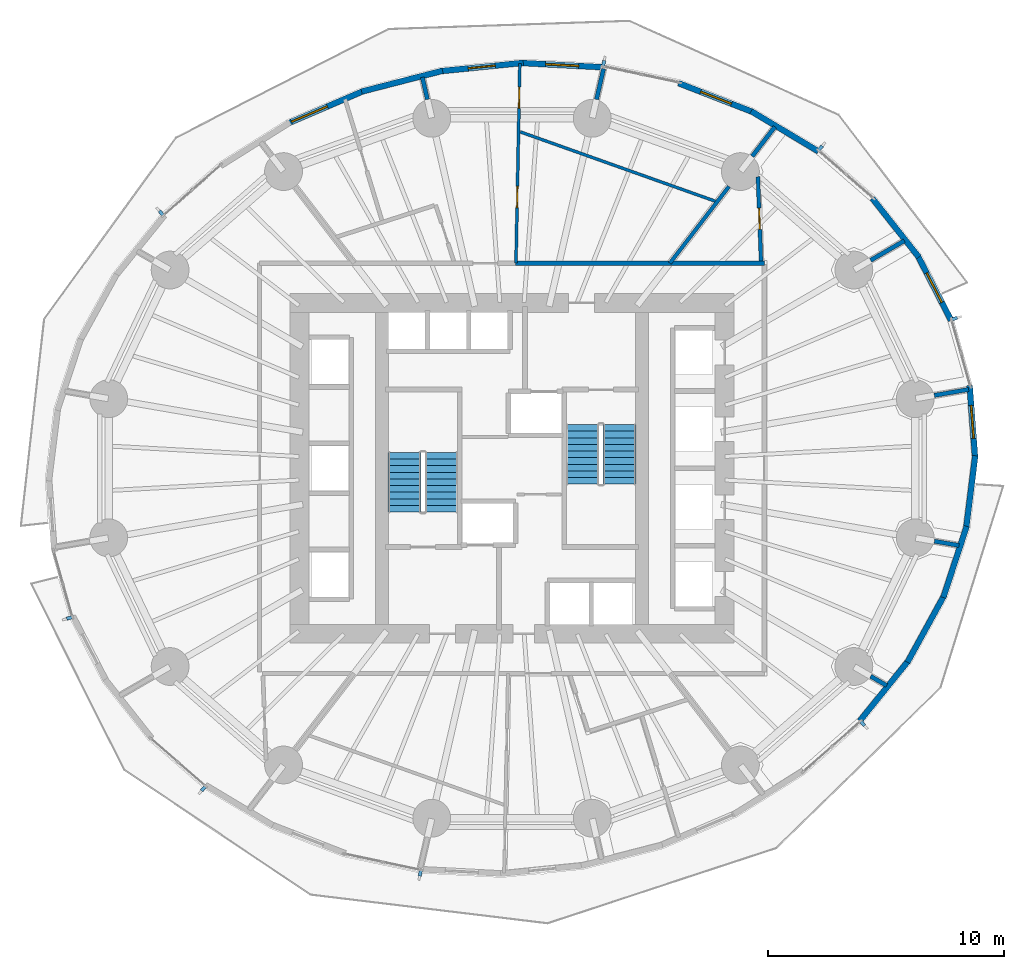
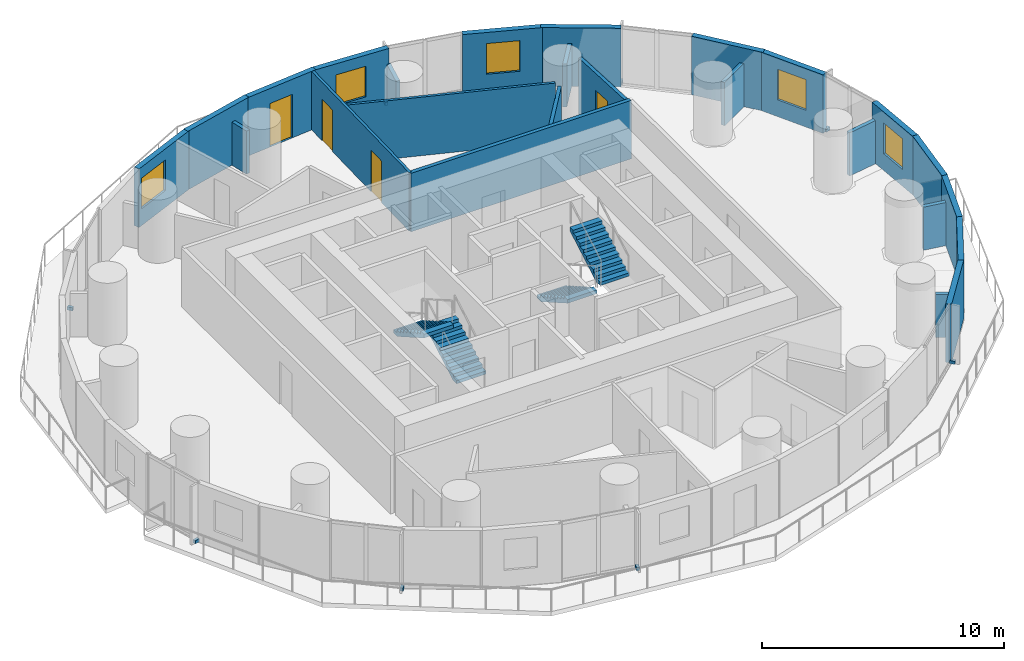
# One storey, part 9 of 13: 25 walls, 8 discrete accessories, 5 windows, 4 doors, 4 stair flights, 9 openings, 2 elements without a shape of their own.
"""IFC4 building model written with IfcOpenShell, lengths in metres."""

import ifcopenshell
import ifcopenshell.guid

model = None  # the IFC model being written
_history = None  # IfcOwnerHistory: only IFC2X3 demands one
_inside = {}  # id of a spatial element -> (the spatial element, [elements in it])
_under = {}  # id of a project, library or spatial element -> (it, [spatial elements below it])
_declared = {}  # id of a project -> (the project, [libraries it declares])
_typed = {}  # id of a type object -> (the type object, [elements of that type])
_made_of = {}  # id of a material, layer set ... -> (it, [elements and type objects made of it])


def new_model(schema):
    """Start an empty IFC model of exactly this schema.

    Asked for "IFC4X3", IfcOpenShell would pick the latest addendum, in which some entities
    have other attributes; the version numbers below select the first issue.
    IFC2X3 requires an IfcOwnerHistory on every rooted entity: one is made here for all.
    """
    global model, _history
    if schema == "IFC4X3":
        model = ifcopenshell.file(schema_version=(4, 3, 0, 0))
    else:
        model = ifcopenshell.file(schema=schema)
    _inside.clear()
    _under.clear()
    _declared.clear()
    _typed.clear()
    _made_of.clear()
    _history = None
    if model.schema == "IFC2X3":
        org = make("IfcOrganization", Name="unknown")
        user = make(
            "IfcPersonAndOrganization",
            ThePerson=make("IfcPerson", FamilyName="unknown"),
            TheOrganization=org,
        )
        app = make(
            "IfcApplication",
            ApplicationDeveloper=org,
            Version="unknown",
            ApplicationFullName="unknown",
            ApplicationIdentifier="unknown",
        )
        _history = make(
            "IfcOwnerHistory",
            OwningUser=user,
            OwningApplication=app,
            ChangeAction="ADDED",
            CreationDate=0,
        )
    return model


def make(cls, **values):
    """One entity of the class cls with the attributes given. An attribute that is None is left unset."""
    return model.create_entity(
        cls, **{name: value for name, value in values.items() if value is not None}
    )


def rooted(cls, **values):
    """An entity with a GlobalId (a new one), such as an element, a storey or a relation."""
    return make(cls, GlobalId=ifcopenshell.guid.new(), OwnerHistory=_history, **values)


def si_unit(unit_type, name, prefix=None):
    """IfcSIUnit, for example si_unit("LENGTHUNIT", "METRE", prefix="MILLI")."""
    return make("IfcSIUnit", UnitType=unit_type, Prefix=prefix, Name=name)


def assignment(units):
    """IfcUnitAssignment: the units of a project."""
    return None if units is None else make("IfcUnitAssignment", Units=units)


def point(xyz):
    """IfcCartesianPoint."""
    return None if xyz is None else make("IfcCartesianPoint", Coordinates=xyz)


def direction(xyz):
    """IfcDirection."""
    return None if xyz is None else make("IfcDirection", DirectionRatios=xyz)


def frame(location, z_axis=None, x_axis=None):
    """IfcAxis2Placement3D, a coordinate frame: its origin and axes. An axis left out is left unset."""
    return make(
        "IfcAxis2Placement3D",
        Location=point(location),
        Axis=direction(z_axis),
        RefDirection=direction(x_axis),
    )


def frame_2d(location, x_axis=None):
    """IfcAxis2Placement2D, a coordinate frame in the plane: its origin and x axis."""
    return make(
        "IfcAxis2Placement2D", Location=point(location), RefDirection=direction(x_axis)
    )


def origin():
    """The frame at (0, 0, 0) with its axes left unset."""
    return frame((0.0, 0.0, 0.0))


def origin_2d():
    """The frame at (0, 0) in the plane with its x axis left unset."""
    return frame_2d((0.0, 0.0))


def place(relative_to, where):
    """IfcLocalPlacement: puts the frame where relative to a parent placement (None: the world)."""
    return make(
        "IfcLocalPlacement", PlacementRelTo=relative_to, RelativePlacement=where
    )


def context(
    kind, dimensions, precision=None, world=None, true_north=None, identifier=None
):
    """IfcGeometricRepresentationContext, for example the 3D "Model" context."""
    return make(
        "IfcGeometricRepresentationContext",
        ContextIdentifier=identifier,
        ContextType=kind,
        CoordinateSpaceDimension=dimensions,
        Precision=precision,
        WorldCoordinateSystem=world,
        TrueNorth=true_north,
    )


def subcontext(parent, identifier, kind, view, scale=None):
    """IfcGeometricRepresentationSubContext, for example "Body" below "Model"."""
    return make(
        "IfcGeometricRepresentationSubContext",
        ContextIdentifier=identifier,
        ContextType=kind,
        ParentContext=parent,
        TargetScale=scale,
        TargetView=view,
    )


def project(units=None, contexts=None):
    """IfcProject with its units and contexts."""
    return rooted(
        "IfcProject",
        Name="project",
        RepresentationContexts=contexts,
        UnitsInContext=assignment(units),
    )


def spatial(cls, under=None, at=None, **own):
    """A site, building, storey or space (cls), placed at a placement, below another one or the project."""
    s = rooted(cls, ObjectPlacement=at, **own)
    if under is not None:
        _under.setdefault(under.id(), (under, []))[1].append(s)
    return s


def polyline(points):
    """IfcPolyline through the points."""
    return make("IfcPolyline", Points=[point(p) for p in points])


def profile(cls, at=None, kind="AREA", **sizes):
    """A parametric profile (cls). Its sizes go by their IFC names, for example OverallWidth=200.0."""
    return make(cls, ProfileType=kind, Position=at, **sizes)


def rectangle(**sizes):
    """IfcRectangleProfileDef."""
    return profile("IfcRectangleProfileDef", **sizes)


def outline(outer, holes=None, kind="AREA"):
    """IfcArbitraryClosedProfileDef: a profile drawn as a closed curve; with holes, ...WithVoids."""
    if holes is None:
        return make("IfcArbitraryClosedProfileDef", ProfileType=kind, OuterCurve=outer)
    return make(
        "IfcArbitraryProfileDefWithVoids",
        ProfileType=kind,
        OuterCurve=outer,
        InnerCurves=holes,
    )


def extrude(swept, where, along, depth):
    """IfcExtrudedAreaSolid: the profile swept, set in the frame where, extruded along a direction by depth."""
    return make(
        "IfcExtrudedAreaSolid",
        SweptArea=swept,
        Position=where,
        ExtrudedDirection=direction(along),
        Depth=depth,
    )


def shape(context_of_items, identifier, shape_type, items):
    """IfcShapeRepresentation: the items that make up one representation, for example the "Body"."""
    return make(
        "IfcShapeRepresentation",
        ContextOfItems=context_of_items,
        RepresentationIdentifier=identifier,
        RepresentationType=shape_type,
        Items=items,
    )


def material(Name=None, Category=None):
    """IfcMaterial."""
    return make("IfcMaterial", Name=Name, Category=Category)


def layer(
    of_material, thickness, ventilated=None, Name=None, Category=None, Priority=None
):
    """IfcMaterialLayer: one layer of a wall or slab, of a material (None: an air gap)."""
    return make(
        "IfcMaterialLayer",
        Material=of_material,
        LayerThickness=thickness,
        IsVentilated=ventilated,
        Name=Name,
        Category=Category,
        Priority=Priority,
    )


def layer_set(layers, Name=None):
    """IfcMaterialLayerSet."""
    return make("IfcMaterialLayerSet", MaterialLayers=layers, LayerSetName=Name)


def made_of(thing, what):
    """Note that an element or type object is made of a material, layer set ...; save() writes the relation."""
    if what is not None:
        _made_of.setdefault(what.id(), (what, []))[1].append(thing)
    return thing


def type_object(cls, material=None, **own):
    """A type object (cls), such as IfcWallType, which elements share."""
    return made_of(rooted(cls, **own), material)


def element(
    cls,
    number,
    at=None,
    inside=None,
    cuts=None,
    type_object=None,
    material=None,
    context=None,
    identifier="Body",
    shape_type=None,
    held_by="IfcProductDefinitionShape",
    body=None,
    shapes=None,
    **own,
):
    """One element of the class cls, such as IfcWall. Its Tag is "e" and its number.

    at: its placement. inside: the storey or other place that contains it. cuts: it is an
    opening in that element (IfcRelVoidsElement). A single representation is given by context,
    identifier, shape_type and body (its items); several are given by shapes. held_by: the class
    of the entity that holds the representations. save() writes the other relations.
    """
    e = rooted(cls, Tag="e%d" % number, ObjectPlacement=at, **own)
    if body is not None:
        shapes = [shape(context, identifier, shape_type, body)]
    if shapes is not None:
        e.Representation = make(held_by, Representations=shapes)
    if inside is not None:
        _inside.setdefault(inside.id(), (inside, []))[1].append(e)
    if cuts is not None:
        rooted(
            "IfcRelVoidsElement", RelatingBuildingElement=cuts, RelatedOpeningElement=e
        )
    if type_object is not None:
        _typed.setdefault(type_object.id(), (type_object, []))[1].append(e)
    return made_of(e, material)


def fill(opening, filler):
    """IfcRelFillsElement: the door or window that sits in an opening."""
    return rooted(
        "IfcRelFillsElement",
        RelatingOpeningElement=opening,
        RelatedBuildingElement=filler,
    )


def aggregate(whole, parts):
    """IfcRelAggregates: a whole, such as a stair, and the parts it consists of."""
    return rooted("IfcRelAggregates", RelatingObject=whole, RelatedObjects=parts)


def save(model, path):
    """Write the relations noted so far, then the file.

    IfcRelAggregates (storeys below a building ...), IfcRelContainedInSpatialStructure (elements
    in a storey), IfcRelDefinesByType, IfcRelAssociatesMaterial and IfcRelDeclares: one each for
    every whole, place, type object, material and project.
    """
    for whole, parts in _under.values():
        aggregate(whole, parts)
    for where, things in _inside.values():
        rooted(
            "IfcRelContainedInSpatialStructure",
            RelatedElements=things,
            RelatingStructure=where,
        )
    for kind, things in _typed.values():
        rooted("IfcRelDefinesByType", RelatedObjects=things, RelatingType=kind)
    for what, things in _made_of.values():
        rooted("IfcRelAssociatesMaterial", RelatedObjects=things, RelatingMaterial=what)
    for by, libraries in _declared.values():
        rooted("IfcRelDeclares", RelatingContext=by, RelatedDefinitions=libraries)
    model.write(path)


model = new_model("IFC4")

# Units and contexts
model_context = context("Model", 3, precision=1e-05, world=origin(), true_north=direction((0.0, 1.0)))
body_context = subcontext(model_context, "Body", "Model", "MODEL_VIEW")
ifc_project = project(units=[si_unit("LENGTHUNIT", "METRE"), si_unit("AREAUNIT", "SQUARE_METRE"), si_unit("VOLUMEUNIT", "CUBIC_METRE"), si_unit("PLANEANGLEUNIT", "RADIAN"), si_unit("MASSUNIT", "GRAM", prefix="KILO")], contexts=[model_context])

# Site, building, storey
site_placement = place(None, origin())
site = spatial("IfcSite", under=ifc_project, at=site_placement, CompositionType="ELEMENT")
building_placement = place(site_placement, origin())
building = spatial("IfcBuilding", under=site, at=building_placement, Name="Veldorim Arch Residences", CompositionType="ELEMENT")
storey_placement = place(building_placement, frame((0.0, 0.0, 44.0)))
storey = spatial("IfcBuildingStorey", under=building, at=storey_placement, Name="L12", CompositionType="ELEMENT", Elevation=44.0)

# Wall, openings, doors
ifc_material_1 = material(Name="Acoustic Gypsum Board", Category="gypsum")
ifc_layer_1 = layer(ifc_material_1, 0.125, Name="Acoustic Stud Room Partition Wall 125")
ifc_layer_set_1 = layer_set([ifc_layer_1], Name="Acoustic Gypsum Board")
wall_type_1 = type_object("IfcWallType", Name="Acoustic Stud Room Partition Wall 125", PredefinedType="PARTITIONING", material=ifc_layer_set_1)
wall_1_placement = place(storey_placement, frame((32.3330078125, 41.12939453125, 0.0), z_axis=(0.0, 0.0, 1.0), x_axis=(-0.019442133322, -0.999810983862, 0.0)))
wall_1 = element("IfcWall", 1, at=wall_1_placement, inside=storey, type_object=wall_type_1, Name="L12 interior wall WL-RES-L12-017", PredefinedType="PARTITIONING", context=body_context, shape_type="SweptSolid", body=[
    extrude(rectangle(XDim=8.451171875, YDim=0.125, at=frame_2d((4.2255859375, 0.0))), origin(), (0.0, 0.0, 1.0), 2.955078125),
])
opening_1_placement = place(wall_1_placement, frame((0.994384765625, 0.0, 0.0)))
opening_1 = element("IfcOpeningElement", 2, at=opening_1_placement, cuts=wall_1, Name="Opening DR-INT", PredefinedType="OPENING", context=body_context, shape_type="SweptSolid", body=[
    extrude(rectangle(XDim=0.89990234375, YDim=2.10009765625, at=frame_2d((0.449951171875, 1.050048828125))), frame((0.0, 0.072509765625, 0.0), z_axis=(0.0, -1.0, 0.0), x_axis=(1.0, 0.0, 0.0)), (0.0, 0.0, 1.0), 0.14501953125),
])
opening_2_placement = place(wall_1_placement, frame((5.19921875, 0.0, 0.0)))
opening_2 = element("IfcOpeningElement", 3, at=opening_2_placement, cuts=wall_1, Name="Opening DR-INT", PredefinedType="OPENING", context=body_context, shape_type="SweptSolid", body=[
    extrude(rectangle(XDim=0.89990234375, YDim=2.10009765625, at=frame_2d((0.449951171875, 1.050048828125))), frame((0.0, 0.072509765625, 0.0), z_axis=(0.0, -1.0, 0.0), x_axis=(1.0, 0.0, 0.0)), (0.0, 0.0, 1.0), 0.14501953125),
])
ifc_material_2 = material(Name="Engineered Timber", Category="wood")
door_type_1 = type_object("IfcDoorType", Name="Apartment Internal Room Timber Door 900x2100", OperationType="SINGLE_SWING_LEFT", PredefinedType="DOOR", material=ifc_material_2)
door_1_placement = place(opening_1_placement, origin())
door_1 = element("IfcDoor", 4, at=door_1_placement, inside=storey, type_object=door_type_1, Name="L12 interior door DR-RES-L12-010", OperationType="SINGLE_SWING_RIGHT", OverallHeight=2.10009765625, OverallWidth=0.89990234375, PredefinedType="DOOR", context=body_context, shape_type="SweptSolid", body=[
    extrude(rectangle(XDim=0.89990234375, YDim=2.10009765625, at=frame_2d((0.449951171875, 1.050048828125))), frame((0.0, 0.02490234375, 0.0), z_axis=(0.0, -1.0, 0.0), x_axis=(1.0, 0.0, 0.0)), (0.0, 0.0, 1.0), 0.050048828125),
])
fill(opening_1, door_1)
door_2_placement = place(opening_2_placement, origin())
door_2 = element("IfcDoor", 5, at=door_2_placement, inside=storey, type_object=door_type_1, Name="L12 interior door DR-RES-L12-011", OperationType="SINGLE_SWING_LEFT", OverallHeight=2.10009765625, OverallWidth=0.89990234375, PredefinedType="DOOR", context=body_context, shape_type="SweptSolid", body=[
    extrude(rectangle(XDim=0.89990234375, YDim=2.10009765625, at=frame_2d((0.449951171875, 1.050048828125))), frame((0.0, 0.02490234375, 0.0), z_axis=(0.0, -1.0, 0.0), x_axis=(1.0, 0.0, 0.0)), (0.0, 0.0, 1.0), 0.050048828125),
])
fill(opening_2, door_2)

# Walls
wall_2_placement = place(storey_placement, frame((40.605712890625, 35.3017578125, 0.0), z_axis=(0.0, 0.0, 1.0), x_axis=(-0.942237172067, 0.334946430904, 0.0)))
element("IfcWall", 6, at=wall_2_placement, inside=storey, type_object=wall_type_1, Name="L12 interior wall WL-RES-L12-021", PredefinedType="PARTITIONING", context=body_context, shape_type="SweptSolid", body=[
    extrude(rectangle(XDim=8.759033203125, YDim=0.125, at=frame_2d((4.37939453125, 0.0))), origin(), (0.0, 0.0, 1.0), 2.955078125),
])
ifc_material_3 = material(Name="Lightweight Masonry Block & Gypsum", Category="masonry")
ifc_layer_2 = layer(ifc_material_3, 0.179931640625, Name="Compartment & Corridor Fire-Rated Party Wall 180")
ifc_layer_set_2 = layer_set([ifc_layer_2], Name="Lightweight Masonry Block & Gypsum")
wall_type_2 = type_object("IfcWallType", Name="Compartment & Corridor Fire-Rated Party Wall 180", PredefinedType="PARTITIONING", material=ifc_layer_set_2)
wall_3_placement = place(storey_placement, frame((49.873779296875, 27.08544921875, 0.0), z_axis=(0.0, 0.0, 1.0), x_axis=(0.985431361669, 0.170073605946, 0.0)))
element("IfcWall", 7, at=wall_3_placement, inside=storey, type_object=wall_type_2, Name="L12 interior wall WL-PIER-L12-01", PredefinedType="PARTITIONING", context=body_context, shape_type="SweptSolid", body=[
    extrude(rectangle(XDim=1.471435546875, YDim=0.179931640625, at=frame_2d((0.73583984375, 0.0))), origin(), (0.0, 0.0, 1.0), 2.17822265625),
])
wall_4_placement = place(storey_placement, frame((47.177001953125, 32.80029296875, 0.0), z_axis=(0.0, 0.0, 1.0), x_axis=(0.865006756398, 0.501760213036, 0.0)))
element("IfcWall", 8, at=wall_4_placement, inside=storey, type_object=wall_type_2, Name="L12 interior wall WL-PIER-L12-02", PredefinedType="PARTITIONING", context=body_context, shape_type="SweptSolid", body=[
    extrude(rectangle(XDim=1.64794921875, YDim=0.179931640625, at=frame_2d((0.823974609375, 0.0))), origin(), (0.0, 0.0, 1.0), 2.17822265625),
])
wall_5_placement = place(storey_placement, frame((42.167236328125, 37.204833984375, 0.0), z_axis=(0.0, 0.0, 1.0), x_axis=(0.609965884242, 0.792427674971, 0.0)))
element("IfcWall", 9, at=wall_5_placement, inside=storey, type_object=wall_type_2, Name="L12 interior wall WL-PIER-L12-03", PredefinedType="PARTITIONING", context=body_context, shape_type="SweptSolid", body=[
    extrude(rectangle(XDim=1.572265625, YDim=0.179931640625, at=frame_2d((0.7861328125, 0.0))), origin(), (0.0, 0.0, 1.0), 2.17822265625),
])
wall_6_placement = place(storey_placement, frame((35.577880859375, 39.609130859375, 0.0), z_axis=(0.0, 0.0, 1.0), x_axis=(0.223372526283, 0.974733150407, 0.0)))
element("IfcWall", 10, at=wall_6_placement, inside=storey, type_object=wall_type_2, Name="L12 interior wall WL-PIER-L12-04", PredefinedType="PARTITIONING", context=body_context, shape_type="SweptSolid", body=[
    extrude(rectangle(XDim=1.331298828125, YDim=0.179931640625, at=frame_2d((0.66552734375, 0.0))), origin(), (0.0, 0.0, 1.0), 2.17822265625),
])
wall_7_placement = place(storey_placement, frame((28.422119140625, 39.609130859375, 0.0), z_axis=(0.0, 0.0, 1.0), x_axis=(-0.223210471103, 0.974770273239, 0.0)))
element("IfcWall", 11, at=wall_7_placement, inside=storey, type_object=wall_type_2, Name="L12 interior wall WL-PIER-L12-05", PredefinedType="PARTITIONING", context=body_context, shape_type="SweptSolid", body=[
    extrude(rectangle(XDim=0.96240234375, YDim=0.179931640625, at=frame_2d((0.481201171875, 0.0))), origin(), (0.0, 0.0, 1.0), 2.17822265625),
])
wall_8_placement = place(storey_placement, frame((47.177001953125, 15.19970703125, 0.0), z_axis=(0.0, 0.0, 1.0), x_axis=(0.864901908684, -0.50194092118, 0.0)))
element("IfcWall", 12, at=wall_8_placement, inside=storey, type_object=wall_type_2, Name="L12 interior wall WL-PIER-L12-15", PredefinedType="PARTITIONING", context=body_context, shape_type="SweptSolid", body=[
    extrude(rectangle(XDim=0.786865234375, YDim=0.179931640625, at=frame_2d((0.3935546875, 0.0))), origin(), (0.0, 0.0, 1.0), 2.17822265625),
])
wall_9_placement = place(storey_placement, frame((49.873779296875, 20.91455078125, 0.0), z_axis=(0.0, 0.0, 1.0), x_axis=(0.985438853396, -0.170030192076, 0.0)))
element("IfcWall", 13, at=wall_9_placement, inside=storey, type_object=wall_type_2, Name="L12 interior wall WL-PIER-L12-16", PredefinedType="PARTITIONING", context=body_context, shape_type="SweptSolid", body=[
    extrude(rectangle(XDim=1.06103515625, YDim=0.179931640625, at=frame_2d((0.530517578125, 0.0))), origin(), (0.0, 0.0, 1.0), 2.17822265625),
])
wall_10_placement = place(storey_placement, frame((32.148681640625, 32.679931640625, 0.0), z_axis=(0.0, 0.0, 1.0), x_axis=(1.0, 0.0, 0.0)))
element("IfcWall", 14, at=wall_10_placement, inside=storey, type_object=wall_type_2, Name="L12 interior wall WL-RES-L12-002", PredefinedType="PARTITIONING", context=body_context, shape_type="SweptSolid", body=[
    extrude(rectangle(XDim=10.53125, YDim=0.179931640625, at=frame_2d((5.265625, 0.0))), origin(), (0.0, 0.0, 1.0), 2.955078125),
])

# Wall, opening, window
ifc_material_4 = material(Name="Precast concrete C40/50", Category="concrete")
ifc_layer_3 = layer(ifc_material_4, 0.25, Name="Tower Terracotta Spandrel & Pier Wall 250")
ifc_layer_set_3 = layer_set([ifc_layer_3], Name="Precast concrete C40/50")
wall_type_3 = type_object("IfcWallType", Name="Tower Terracotta Spandrel & Pier Wall 250", PredefinedType="SOLIDWALL", material=ifc_layer_set_3)
wall_11_placement = place(storey_placement, frame((49.157470703125, 33.03125, 0.0), z_axis=(0.0, 0.0, 1.0), x_axis=(0.457448772631, -0.889235975666, 0.0)))
wall_11 = element("IfcWall", 15, at=wall_11_placement, inside=storey, type_object=wall_type_3, Name="L12 terracotta facade wall 02", PredefinedType="SOLIDWALL", context=body_context, shape_type="SweptSolid", body=[
    extrude(rectangle(XDim=3.12060546875, YDim=0.25, at=frame_2d((1.560302734375, 0.0))), origin(), (0.0, 0.0, 1.0), 2.9599609375),
])
opening_3_placement = place(wall_11_placement, frame((0.860107421875, 0.0, 0.85009765625)))
opening_3 = element("IfcOpeningElement", 16, at=opening_3_placement, cuts=wall_11, Name="Opening WN-02", PredefinedType="OPENING", context=body_context, shape_type="SweptSolid", body=[
    extrude(rectangle(XDim=1.39990234375, YDim=1.550048828125, at=frame_2d((0.699951171875, 0.77490234375))), frame((0.0, 0.135009765625, 0.0), z_axis=(0.0, -1.0, 0.0), x_axis=(1.0, 0.0, 0.0)), (0.0, 0.0, 1.0), 0.27001953125),
])
ifc_material_5 = material(Name="Laminated Low-E Glass", Category="glass")
window_type_1 = type_object("IfcWindowType", Name="Residential Casement Window 1400x1550", PartitioningType="SINGLE_PANEL", PredefinedType="WINDOW", material=ifc_material_5)
window_1_placement = place(opening_3_placement, origin())
window_1 = element("IfcWindow", 17, at=window_1_placement, inside=storey, type_object=window_type_1, Name="L12 solar-control facade window 02", OverallHeight=1.550048828125, OverallWidth=1.39990234375, PartitioningType="SINGLE_PANEL", PredefinedType="WINDOW", context=body_context, shape_type="SweptSolid", body=[
    extrude(rectangle(XDim=1.39990234375, YDim=1.550048828125, at=frame_2d((0.699951171875, 0.77490234375))), frame((0.0, 0.030029296875, 0.0), z_axis=(0.0, -1.0, 0.0), x_axis=(1.0, 0.0, 0.0)), (0.0, 0.0, 1.0), 0.06005859375),
])
fill(opening_3, window_1)

# Walls
wall_12_placement = place(storey_placement, frame((47.25146484375, 35.42626953125, 0.0), z_axis=(0.0, 0.0, 1.0), x_axis=(0.619871206143, -0.784703566829, 0.0)))
element("IfcWall", 18, at=wall_12_placement, inside=storey, type_object=wall_type_3, Name="L12 terracotta facade wall 03", PredefinedType="SOLIDWALL", context=body_context, shape_type="SweptSolid", body=[
    extrude(rectangle(XDim=3.174072265625, YDim=0.25, at=frame_2d((1.5869140625, 0.0))), origin(), (0.0, 0.0, 1.0), 2.9599609375),
])
wall_13_placement = place(storey_placement, frame((42.121826171875, 39.115966796875, 0.0), z_axis=(0.0, 0.0, 1.0), x_axis=(0.858069400356, -0.513533742001, 0.0)))
element("IfcWall", 19, at=wall_13_placement, inside=storey, type_object=wall_type_3, Name="L12 terracotta facade wall 05", PredefinedType="SOLIDWALL", context=body_context, shape_type="SweptSolid", body=[
    extrude(rectangle(XDim=3.32275390625, YDim=0.25, at=frame_2d((1.661376953125, 0.0))), origin(), (0.0, 0.0, 1.0), 2.9599609375),
])

# Wall, opening, window
wall_14_placement = place(storey_placement, frame((39.052978515625, 40.298095703125, 0.0), z_axis=(0.0, 0.0, 1.0), x_axis=(0.932140755825, -0.362096135479, 0.0)))
wall_14 = element("IfcWall", 20, at=wall_14_placement, inside=storey, type_object=wall_type_3, Name="L12 terracotta facade wall 06", PredefinedType="SOLIDWALL", context=body_context, shape_type="SweptSolid", body=[
    extrude(rectangle(XDim=3.39892578125, YDim=0.25, at=frame_2d((1.699462890625, 0.0))), origin(), (0.0, 0.0, 1.0), 2.9599609375),
])
opening_4_placement = place(wall_14_placement, frame((1.0, 0.0, 0.85009765625)))
opening_4 = element("IfcOpeningElement", 21, at=opening_4_placement, cuts=wall_14, Name="Opening WN-02", PredefinedType="OPENING", context=body_context, shape_type="SweptSolid", body=[
    extrude(rectangle(XDim=1.39990234375, YDim=1.550048828125, at=frame_2d((0.699951171875, 0.77490234375))), frame((0.0, 0.135009765625, 0.0), z_axis=(0.0, -1.0, 0.0), x_axis=(1.0, 0.0, 0.0)), (0.0, 0.0, 1.0), 0.27001953125),
])
window_2_placement = place(opening_4_placement, origin())
window_2 = element("IfcWindow", 22, at=window_2_placement, inside=storey, type_object=window_type_1, Name="L12 solar-control facade window 06", OverallHeight=1.550048828125, OverallWidth=1.39990234375, PartitioningType="SINGLE_PANEL", PredefinedType="WINDOW", context=body_context, shape_type="SweptSolid", body=[
    extrude(rectangle(XDim=1.39990234375, YDim=1.550048828125, at=frame_2d((0.699951171875, 0.77490234375))), frame((0.0, 0.030029296875, 0.0), z_axis=(0.0, -1.0, 0.0), x_axis=(1.0, 0.0, 0.0)), (0.0, 0.0, 1.0), 0.06005859375),
])
fill(opening_4, window_2)

wall_15_placement = place(storey_placement, frame((32.368896484375, 41.156494140625, 0.0), z_axis=(0.0, 0.0, 1.0), x_axis=(0.99860782827, -0.052748510102, 0.0)))
wall_15 = element("IfcWall", 23, at=wall_15_placement, inside=storey, type_object=wall_type_3, Name="L12 terracotta facade wall 08", PredefinedType="SOLIDWALL", context=body_context, shape_type="SweptSolid", body=[
    extrude(rectangle(XDim=3.512939453125, YDim=0.25, at=frame_2d((1.75634765625, 0.0))), origin(), (0.0, 0.0, 1.0), 2.9599609375),
])
opening_5_placement = place(wall_15_placement, frame((1.055908203125, 0.0, 0.85009765625)))
opening_5 = element("IfcOpeningElement", 24, at=opening_5_placement, cuts=wall_15, Name="Opening WN-02", PredefinedType="OPENING", context=body_context, shape_type="SweptSolid", body=[
    extrude(rectangle(XDim=1.39990234375, YDim=1.550048828125, at=frame_2d((0.699951171875, 0.77490234375))), frame((0.0, 0.135009765625, 0.0), z_axis=(0.0, -1.0, 0.0), x_axis=(1.0, 0.0, 0.0)), (0.0, 0.0, 1.0), 0.27001953125),
])
window_3_placement = place(opening_5_placement, origin())
window_3 = element("IfcWindow", 25, at=window_3_placement, inside=storey, type_object=window_type_1, Name="L12 solar-control facade window 08", OverallHeight=1.550048828125, OverallWidth=1.39990234375, PartitioningType="SINGLE_PANEL", PredefinedType="WINDOW", context=body_context, shape_type="SweptSolid", body=[
    extrude(rectangle(XDim=1.39990234375, YDim=1.550048828125, at=frame_2d((0.699951171875, 0.77490234375))), frame((0.0, 0.030029296875, 0.0), z_axis=(0.0, -1.0, 0.0), x_axis=(1.0, 0.0, 0.0)), (0.0, 0.0, 1.0), 0.06005859375),
])
fill(opening_5, window_3)

# Wall, opening, door
wall_16_placement = place(storey_placement, frame((28.957275390625, 40.8056640625, 0.0), z_axis=(0.0, 0.0, 1.0), x_axis=(0.994996115016, 0.099913618207, 0.0)))
wall_16 = element("IfcWall", 26, at=wall_16_placement, inside=storey, type_object=wall_type_3, Name="L12 terracotta facade wall 09", PredefinedType="SOLIDWALL", context=body_context, shape_type="SweptSolid", body=[
    extrude(rectangle(XDim=3.538330078125, YDim=0.25, at=frame_2d((1.76904296875, 0.0))), origin(), (0.0, 0.0, 1.0), 2.9599609375),
])
opening_6_placement = place(wall_16_placement, frame((1.194091796875, 0.0, 0.0)))
opening_6 = element("IfcOpeningElement", 27, at=opening_6_placement, cuts=wall_16, Name="Opening BL-DR", PredefinedType="OPENING", context=body_context, shape_type="SweptSolid", body=[
    extrude(rectangle(XDim=1.14990234375, YDim=2.199951171875, at=frame_2d((0.574951171875, 1.10009765625))), frame((0.0, 0.135009765625, 0.0), z_axis=(0.0, -1.0, 0.0), x_axis=(1.0, 0.0, 0.0)), (0.0, 0.0, 1.0), 0.27001953125),
])
ifc_material_6 = material(Name="Aluminium & Low-E Glass", Category="aluminium")
door_type_2 = type_object("IfcDoorType", Name="Glazed Planted Balcony Door 1150x2200", OperationType="SINGLE_SWING_LEFT", PredefinedType="DOOR", material=ifc_material_6)
door_3_placement = place(opening_6_placement, origin())
door_3 = element("IfcDoor", 28, at=door_3_placement, inside=storey, type_object=door_type_2, Name="L12 glazed outdoor terrace door BALC-1", OperationType="SINGLE_SWING_LEFT", OverallHeight=2.199951171875, OverallWidth=1.14990234375, PredefinedType="DOOR", context=body_context, shape_type="SweptSolid", body=[
    extrude(rectangle(XDim=1.14990234375, YDim=2.199951171875, at=frame_2d((0.574951171875, 1.10009765625))), frame((0.0, 0.02490234375, 0.0), z_axis=(0.0, -1.0, 0.0), x_axis=(1.0, 0.0, 0.0)), (0.0, 0.0, 1.0), 0.050048828125),
])
fill(opening_6, door_3)

# Wall
wall_17_placement = place(storey_placement, frame((25.6376953125, 39.943115234375, 0.0), z_axis=(0.0, 0.0, 1.0), x_axis=(0.968459637573, 0.249170484594, 0.0)))
element("IfcWall", 29, at=wall_17_placement, inside=storey, type_object=wall_type_3, Name="L12 terracotta facade wall 10", PredefinedType="SOLIDWALL", context=body_context, shape_type="SweptSolid", body=[
    extrude(rectangle(XDim=3.5380859375, YDim=0.25, at=frame_2d((1.76904296875, 0.0))), origin(), (0.0, 0.0, 1.0), 2.9599609375),
])

# Wall, opening, window
wall_18_placement = place(storey_placement, frame((22.511474609375, 38.595458984375, 0.0), z_axis=(0.0, 0.0, 1.0), x_axis=(0.919263615987, 0.393642482872, 0.0)))
wall_18 = element("IfcWall", 30, at=wall_18_placement, inside=storey, type_object=wall_type_3, Name="L12 terracotta facade wall 11", PredefinedType="SOLIDWALL", context=body_context, shape_type="SweptSolid", body=[
    extrude(rectangle(XDim=3.512939453125, YDim=0.25, at=frame_2d((1.75634765625, 0.0))), origin(), (0.0, 0.0, 1.0), 2.9599609375),
])
opening_7_placement = place(wall_18_placement, frame((0.175048828125, 0.0, 0.85009765625)))
opening_7 = element("IfcOpeningElement", 31, at=opening_7_placement, cuts=wall_18, Name="Opening WN-03", PredefinedType="OPENING", context=body_context, shape_type="SweptSolid", body=[
    extrude(rectangle(XDim=1.64990234375, YDim=1.550048828125, at=frame_2d((0.824951171875, 0.77490234375))), frame((0.0, 0.135009765625, 0.0), z_axis=(0.0, -1.0, 0.0), x_axis=(1.0, 0.0, 0.0)), (0.0, 0.0, 1.0), 0.27001953125),
])
ifc_material_7 = material(Name="Laminated Low-E Glass", Category="glass")
window_type_2 = type_object("IfcWindowType", Name="Residential Wide Window 1650x1550", PartitioningType="SINGLE_PANEL", PredefinedType="WINDOW", material=ifc_material_7)
window_4_placement = place(opening_7_placement, origin())
window_4 = element("IfcWindow", 32, at=window_4_placement, inside=storey, type_object=window_type_2, Name="L12 solar-control facade window 11", OverallHeight=1.550048828125, OverallWidth=1.64990234375, PartitioningType="SINGLE_PANEL", PredefinedType="WINDOW", context=body_context, shape_type="SweptSolid", body=[
    extrude(rectangle(XDim=1.64990234375, YDim=1.550048828125, at=frame_2d((0.824951171875, 0.77490234375))), frame((0.0, 0.030029296875, 0.0), z_axis=(0.0, -1.0, 0.0), x_axis=(1.0, 0.0, 0.0)), (0.0, 0.0, 1.0), 0.06005859375),
])
fill(opening_7, window_4)

# Walls
wall_19_placement = place(storey_placement, frame((48.7998046875, 15.883056640625, 0.0), z_axis=(0.0, 0.0, 1.0), x_axis=(-0.62854914488, -0.777769871151, 0.0)))
element("IfcWall", 33, at=wall_19_placement, inside=storey, type_object=wall_type_3, Name="L12 terracotta facade wall 32", PredefinedType="SOLIDWALL", context=body_context, shape_type="SweptSolid", body=[
    extrude(rectangle(XDim=3.322998046875, YDim=0.25, at=frame_2d((1.66162109375, 0.0))), origin(), (0.0, 0.0, 1.0), 2.9599609375),
])
wall_20_placement = place(storey_placement, frame((50.2998046875, 18.633544921875, 0.0), z_axis=(0.0, 0.0, 1.0), x_axis=(-0.481612512773, -0.876384269337, 0.0)))
element("IfcWall", 34, at=wall_20_placement, inside=storey, type_object=wall_type_3, Name="L12 terracotta facade wall 33", PredefinedType="SOLIDWALL", context=body_context, shape_type="SweptSolid", body=[
    extrude(rectangle(XDim=3.244384765625, YDim=0.25, at=frame_2d((1.6220703125, 0.0))), origin(), (0.0, 0.0, 1.0), 2.9599609375),
])
wall_21_placement = place(storey_placement, frame((51.243408203125, 21.546142578125, 0.0), z_axis=(0.0, 0.0, 1.0), x_axis=(-0.31144705651, -0.950263506082, 0.0)))
element("IfcWall", 35, at=wall_21_placement, inside=storey, type_object=wall_type_3, Name="L12 terracotta facade wall 34", PredefinedType="SOLIDWALL", context=body_context, shape_type="SweptSolid", body=[
    extrude(rectangle(XDim=3.174072265625, YDim=0.25, at=frame_2d((1.5869140625, 0.0))), origin(), (0.0, 0.0, 1.0), 2.9599609375),
])
wall_22_placement = place(storey_placement, frame((51.6025390625, 24.5322265625, 0.0), z_axis=(0.0, 0.0, 1.0), x_axis=(-0.122985115192, -0.992408515401, 0.0)))
element("IfcWall", 36, at=wall_22_placement, inside=storey, type_object=wall_type_3, Name="L12 terracotta facade wall 35", PredefinedType="SOLIDWALL", context=body_context, shape_type="SweptSolid", body=[
    extrude(rectangle(XDim=3.12060546875, YDim=0.25, at=frame_2d((1.560302734375, 0.0))), origin(), (0.0, 0.0, 1.0), 2.9599609375),
])

# Wall, opening, window
wall_23_placement = place(storey_placement, frame((51.366455078125, 27.5009765625, 0.0), z_axis=(0.0, 0.0, 1.0), x_axis=(0.075488770926, -0.997146651934, 0.0)))
wall_23 = element("IfcWall", 37, at=wall_23_placement, inside=storey, type_object=wall_type_3, Name="L12 terracotta facade wall 36", PredefinedType="SOLIDWALL", context=body_context, shape_type="SweptSolid", body=[
    extrude(rectangle(XDim=3.091796875, YDim=0.25, at=frame_2d((1.5458984375, 0.0))), origin(), (0.0, 0.0, 1.0), 2.9599609375),
])
opening_8_placement = place(wall_23_placement, frame((0.845947265625, 0.0, 0.85009765625)))
opening_8 = element("IfcOpeningElement", 38, at=opening_8_placement, cuts=wall_23, Name="Opening WN-02", PredefinedType="OPENING", context=body_context, shape_type="SweptSolid", body=[
    extrude(rectangle(XDim=1.39990234375, YDim=1.550048828125, at=frame_2d((0.699951171875, 0.77490234375))), frame((0.0, 0.135009765625, 0.0), z_axis=(0.0, -1.0, 0.0), x_axis=(1.0, 0.0, 0.0)), (0.0, 0.0, 1.0), 0.27001953125),
])
window_5_placement = place(opening_8_placement, origin())
window_5 = element("IfcWindow", 39, at=window_5_placement, inside=storey, type_object=window_type_1, Name="L12 solar-control facade window 36", OverallHeight=1.550048828125, OverallWidth=1.39990234375, PartitioningType="SINGLE_PANEL", PredefinedType="WINDOW", context=body_context, shape_type="SweptSolid", body=[
    extrude(rectangle(XDim=1.39990234375, YDim=1.550048828125, at=frame_2d((0.699951171875, 0.77490234375))), frame((0.0, 0.030029296875, 0.0), z_axis=(0.0, -1.0, 0.0), x_axis=(1.0, 0.0, 0.0)), (0.0, 0.0, 1.0), 0.06005859375),
])
fill(opening_8, window_5)

# Wall, opening, door
ifc_material_8 = material(Name="Moisture-Resistant Gypsum & Stud", Category="gypsum")
ifc_layer_4 = layer(ifc_material_8, 0.159912109375, Name="Wet-Area Moisture-Resistant Plumbing Wall 160")
ifc_layer_set_4 = layer_set([ifc_layer_4], Name="Moisture-Resistant Gypsum & Stud")
wall_type_4 = type_object("IfcWallType", Name="Wet-Area Moisture-Resistant Plumbing Wall 160", PredefinedType="PLUMBINGWALL", material=ifc_layer_set_4)
wall_24_placement = place(storey_placement, frame((42.53857421875, 32.77978515625, 0.0), z_axis=(0.0, 0.0, 1.0), x_axis=(-0.037031951983, 0.999314082024, 0.0)))
wall_24 = element("IfcWall", 40, at=wall_24_placement, inside=storey, type_object=wall_type_4, Name="L12 interior wall WL-RES-L12-014", PredefinedType="PLUMBINGWALL", context=body_context, shape_type="SweptSolid", body=[
    extrude(rectangle(XDim=3.56005859375, YDim=0.159912109375, at=frame_2d((1.780029296875, 0.0))), origin(), (0.0, 0.0, 1.0), 2.955078125),
])
opening_9_placement = place(wall_24_placement, frame((1.330078125, 0.0, 0.0)))
opening_9 = element("IfcOpeningElement", 41, at=opening_9_placement, cuts=wall_24, Name="Opening DR-WC", PredefinedType="OPENING", context=body_context, shape_type="SweptSolid", body=[
    extrude(rectangle(XDim=0.89990234375, YDim=2.10009765625, at=frame_2d((0.449951171875, 1.050048828125))), frame((0.0, 0.08984375, 0.0), z_axis=(0.0, -1.0, 0.0), x_axis=(1.0, 0.0, 0.0)), (0.0, 0.0, 1.0), 0.179931640625),
])
ifc_material_9 = material(Name="Laminate Timber", Category="wood")
door_type_3 = type_object("IfcDoorType", Name="Bathroom & Accessible WC Moisture-Sealed Door 900x2100", OperationType="SINGLE_SWING_LEFT", PredefinedType="DOOR", material=ifc_material_9)
door_4_placement = place(opening_9_placement, origin())
door_4 = element("IfcDoor", 42, at=door_4_placement, inside=storey, type_object=door_type_3, Name="L12 interior door DR-RES-L12-007", OperationType="SINGLE_SWING_LEFT", OverallHeight=2.10009765625, OverallWidth=0.89990234375, PredefinedType="DOOR", context=body_context, shape_type="SweptSolid", body=[
    extrude(rectangle(XDim=0.89990234375, YDim=2.10009765625, at=frame_2d((0.449951171875, 1.050048828125))), frame((0.0, 0.02490234375, 0.0), z_axis=(0.0, -1.0, 0.0), x_axis=(1.0, 0.0, 0.0)), (0.0, 0.0, 1.0), 0.050048828125),
])
fill(opening_9, door_4)

# Wall
wall_25_placement = place(storey_placement, frame((38.68310546875, 32.68017578125, 0.0), z_axis=(0.0, 0.0, 1.0), x_axis=(0.610116797158, 0.792311487879, 0.0)))
element("IfcWall", 43, at=wall_25_placement, inside=storey, type_object=wall_type_4, Name="L12 interior wall WL-RES-L12-015", PredefinedType="PLUMBINGWALL", context=body_context, shape_type="SweptSolid", body=[
    extrude(rectangle(XDim=4.096435546875, YDim=0.159912109375, at=frame_2d((2.04833984375, 0.0))), origin(), (0.0, 0.0, 1.0), 2.17822265625),
])

# Stair, stair flights
ifc_material_10 = material(Name="Concrete C40/50", Category="concrete")
stair_type = type_object("IfcStairType", Name="Reinforced Concrete Dogleg Exit Staircase", PredefinedType="HALF_TURN_STAIR", material=ifc_material_10)
stair_1_placement = place(storey_placement, origin())
stair_1 = element("IfcStair", 44, at=stair_1_placement, inside=storey, type_object=stair_type, Name="L12 Exit Staircase ST-1", PredefinedType="HALF_TURN_STAIR")
ifc_material_11 = material(Name="Concrete C40/50", Category="concrete")
stair_flight_type = type_object("IfcStairFlightType", Name="Reinforced Concrete Stair Flight 1400", PredefinedType="STRAIGHT", material=ifc_material_11)
stair_flight_1_placement = place(storey_placement, frame((29.010009765625, 22.14990234375, 0.0), z_axis=(0.0, 0.0, 1.0), x_axis=(0.0, 1.0, 0.0)))
stair_flight_1 = element("IfcStairFlight", 45, at=stair_flight_1_placement, type_object=stair_flight_type, Name="ST-1 flight 1", NumberOfRisers=10, NumberOfTreads=9, PredefinedType="STRAIGHT", RiserHeight=0.16, TreadLength=0.28, context=body_context, shape_type="SweptSolid", body=[
    extrude(outline(polyline([(0.0, 0.0), (0.0, 0.159912109375), (0.280029296875, 0.159912109375), (0.280029296875, 0.320068359375), (0.56005859375, 0.320068359375), (0.56005859375, 0.47998046875), (0.840087890625, 0.47998046875), (0.840087890625, 0.639892578125), (1.1201171875, 0.639892578125), (1.1201171875, 0.800048828125), (1.39990234375, 0.800048828125), (1.39990234375, 0.9599609375), (1.679931640625, 0.9599609375), (1.679931640625, 1.1201171875), (1.9599609375, 1.1201171875), (1.9599609375, 1.280029296875), (2.239990234375, 1.280029296875), (2.239990234375, 1.43994140625), (2.52001953125, 1.43994140625), (2.52001953125, 1.60009765625), (2.52001953125, 1.255859375), (0.322265625, 0.0), (0.0, 0.0)])), frame((0.0, 0.699951171875, 0.0), z_axis=(0.0, -1.0, 0.0), x_axis=(1.0, 0.0, 0.0)), (0.0, 0.0, 1.0), 1.39990234375),
])
stair_flight_2_placement = place(storey_placement, frame((27.449951171875, 24.669921875, 1.60009765625), z_axis=(0.0, 0.0, 1.0), x_axis=(0.0, -1.0, 0.0)))
stair_flight_2 = element("IfcStairFlight", 46, at=stair_flight_2_placement, type_object=stair_flight_type, Name="ST-1 flight 2", NumberOfRisers=10, NumberOfTreads=9, PredefinedType="STRAIGHT", RiserHeight=0.16, TreadLength=0.28, context=body_context, shape_type="SweptSolid", body=[
    extrude(outline(polyline([(0.0, 0.0), (0.0, 0.159912109375), (0.280029296875, 0.159912109375), (0.280029296875, 0.320068359375), (0.56005859375, 0.320068359375), (0.56005859375, 0.47998046875), (0.840087890625, 0.47998046875), (0.840087890625, 0.639892578125), (1.1201171875, 0.639892578125), (1.1201171875, 0.800048828125), (1.39990234375, 0.800048828125), (1.39990234375, 0.9599609375), (1.679931640625, 0.9599609375), (1.679931640625, 1.1201171875), (1.9599609375, 1.1201171875), (1.9599609375, 1.280029296875), (2.239990234375, 1.280029296875), (2.239990234375, 1.43994140625), (2.52001953125, 1.43994140625), (2.52001953125, 1.60009765625), (2.52001953125, 1.255859375), (0.322265625, 0.0), (0.0, 0.0)])), frame((0.0, 0.699951171875, 0.0), z_axis=(0.0, -1.0, 0.0), x_axis=(1.0, 0.0, 0.0)), (0.0, 0.0, 1.0), 1.39990234375),
])
aggregate(stair_1, [stair_flight_1, stair_flight_2])

stair_2_placement = place(storey_placement, origin())
stair_2 = element("IfcStair", 47, at=stair_2_placement, inside=storey, type_object=stair_type, Name="L12 Exit Staircase ST-2", PredefinedType="HALF_TURN_STAIR")
stair_flight_3_placement = place(storey_placement, frame((34.989990234375, 25.85009765625, 0.0), z_axis=(0.0, 0.0, 1.0), x_axis=(0.0, -1.0, 0.0)))
stair_flight_3 = element("IfcStairFlight", 48, at=stair_flight_3_placement, type_object=stair_flight_type, Name="ST-2 flight 1", NumberOfRisers=10, NumberOfTreads=9, PredefinedType="STRAIGHT", RiserHeight=0.16, TreadLength=0.28, context=body_context, shape_type="SweptSolid", body=[
    extrude(outline(polyline([(0.0, 0.0), (0.0, 0.159912109375), (0.280029296875, 0.159912109375), (0.280029296875, 0.320068359375), (0.56005859375, 0.320068359375), (0.56005859375, 0.47998046875), (0.840087890625, 0.47998046875), (0.840087890625, 0.639892578125), (1.1201171875, 0.639892578125), (1.1201171875, 0.800048828125), (1.39990234375, 0.800048828125), (1.39990234375, 0.9599609375), (1.679931640625, 0.9599609375), (1.679931640625, 1.1201171875), (1.9599609375, 1.1201171875), (1.9599609375, 1.280029296875), (2.239990234375, 1.280029296875), (2.239990234375, 1.43994140625), (2.52001953125, 1.43994140625), (2.52001953125, 1.60009765625), (2.52001953125, 1.255859375), (0.322265625, 0.0), (0.0, 0.0)])), frame((0.0, 0.699951171875, 0.0), z_axis=(0.0, -1.0, 0.0), x_axis=(1.0, 0.0, 0.0)), (0.0, 0.0, 1.0), 1.39990234375),
])
stair_flight_4_placement = place(storey_placement, frame((36.550048828125, 23.330078125, 1.60009765625), z_axis=(0.0, 0.0, 1.0), x_axis=(0.0, 1.0, 0.0)))
stair_flight_4 = element("IfcStairFlight", 49, at=stair_flight_4_placement, type_object=stair_flight_type, Name="ST-2 flight 2", NumberOfRisers=10, NumberOfTreads=9, PredefinedType="STRAIGHT", RiserHeight=0.16, TreadLength=0.28, context=body_context, shape_type="SweptSolid", body=[
    extrude(outline(polyline([(0.0, 0.0), (0.0, 0.159912109375), (0.280029296875, 0.159912109375), (0.280029296875, 0.320068359375), (0.56005859375, 0.320068359375), (0.56005859375, 0.47998046875), (0.840087890625, 0.47998046875), (0.840087890625, 0.639892578125), (1.1201171875, 0.639892578125), (1.1201171875, 0.800048828125), (1.39990234375, 0.800048828125), (1.39990234375, 0.9599609375), (1.679931640625, 0.9599609375), (1.679931640625, 1.1201171875), (1.9599609375, 1.1201171875), (1.9599609375, 1.280029296875), (2.239990234375, 1.280029296875), (2.239990234375, 1.43994140625), (2.52001953125, 1.43994140625), (2.52001953125, 1.60009765625), (2.52001953125, 1.255859375), (0.322265625, 0.0), (0.0, 0.0)])), frame((0.0, 0.699951171875, 0.0), z_axis=(0.0, -1.0, 0.0), x_axis=(1.0, 0.0, 0.0)), (0.0, 0.0, 1.0), 1.39990234375),
])
aggregate(stair_2, [stair_flight_3, stair_flight_4])

# Discrete accessories
ifc_material_12 = material(Name="Stainless Steel", Category="steel")
discrete_accessory_type = type_object("IfcDiscreteAccessoryType", Name="Stainless Steel Facade Fin Anchor Bracket", PredefinedType="BRACKET", material=ifc_material_12)
for number, where, z_axis, x_axis, name in (
    (50, (50.72998046875, 30.335205078125, -0.02001953125), (0.0, 0.0, 1.0), (0.272784025857, -0.962075296033, 0.0), "L12 stainless fin anchor bracket 01"),
    (51, (45.05419921875, 37.554443359375, -0.02001953125), (0.0, 0.0, 1.0), (0.754136773416, -0.656717387452, 0.0), "L12 stainless fin anchor bracket 04"),
    (52, (35.880126953125, 41.13818359375, -0.02001953125), (0.0, 0.0, 1.0), (0.978256328953, -0.207399505455, 0.0), "L12 stainless fin anchor bracket 07"),
    (53, (17.15625, 34.802001953125, -0.02001953125), (0.0, 0.0, 1.0), (0.750226478899, 0.661180936173, 0.0), "L12 stainless fin anchor bracket 13"),
    (54, (13.27001953125, 17.664794921875, -0.02001953125), (0.0, 0.0, 1.0), (-0.272784025857, 0.962075296033, 0.0), "L12 stainless fin anchor bracket 19"),
    (55, (18.94580078125, 10.445556640625, -0.02001953125), (0.0, 0.0, 1.0), (-0.754136773416, 0.656717387452, 0.0), "L12 stainless fin anchor bracket 22"),
    (56, (28.119873046875, 6.86181640625, -0.02001953125), (0.0, 0.0, 1.0), (-0.978256328953, 0.207399505455, 0.0), "L12 stainless fin anchor bracket 25"),
    (57, (46.84375, 13.197998046875, -0.02001953125), (0.0, 0.0, 1.0), (-0.750226478899, -0.661180936173, 0.0), "L12 stainless fin anchor bracket 31"),
):
    element("IfcDiscreteAccessory", number, at=place(storey_placement, frame(where, z_axis=z_axis, x_axis=x_axis)), inside=storey, type_object=discrete_accessory_type, Name=name, PredefinedType="BRACKET", context=body_context, shape_type="SweptSolid", body=[
        extrude(rectangle(XDim=0.139892578125, YDim=0.239990234375, at=origin_2d()), origin(), (0.0, 0.0, 1.0), 0.159912109375),
    ])

save(model, "model.ifc")
